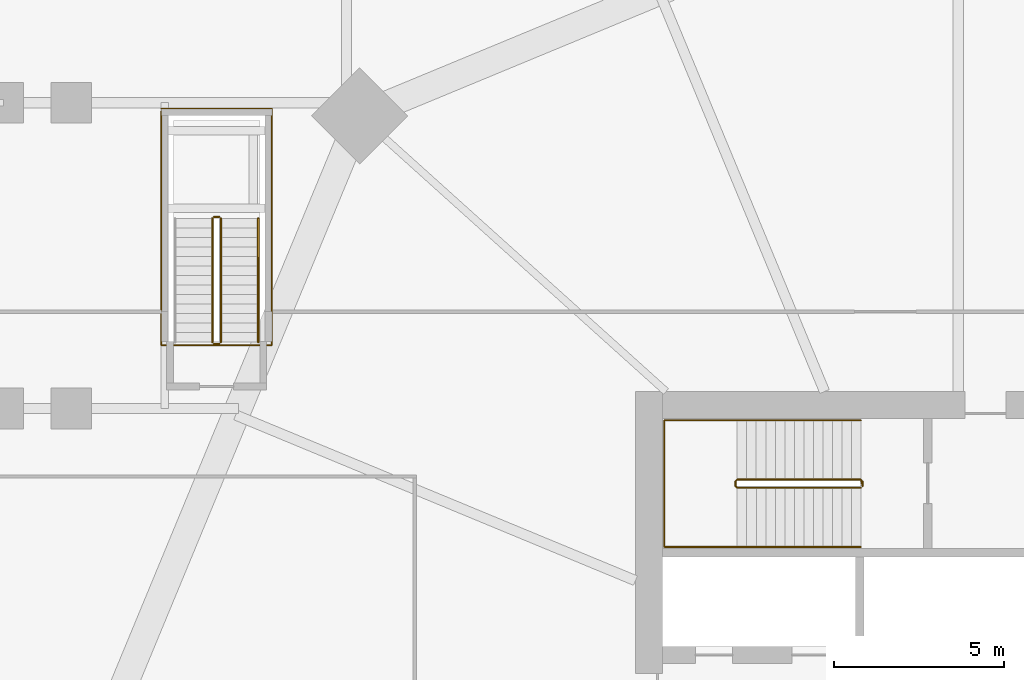
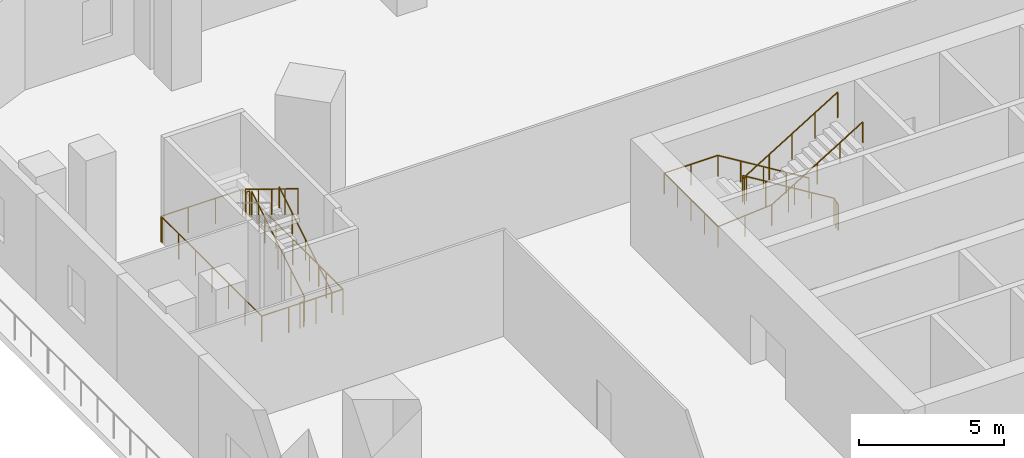
# One storey, part 14 of 17: 8 railings.
"""IFC4 building model written with IfcOpenShell, lengths in metres."""

from ifc_helpers import new_model, si_unit, direction, frame, origin, origin_2d, place, context, subcontext, project, spatial, circle, extrude, material, type_object, element, save


model = new_model("IFC4")

# Units and contexts
model_context = context("Model", 3, precision=1e-05, world=origin(), true_north=direction((0.0, 1.0)))
body_context = subcontext(model_context, "Body", "Model", "MODEL_VIEW")
ifc_project = project(units=[si_unit("LENGTHUNIT", "METRE"), si_unit("AREAUNIT", "SQUARE_METRE"), si_unit("VOLUMEUNIT", "CUBIC_METRE"), si_unit("PLANEANGLEUNIT", "RADIAN"), si_unit("MASSUNIT", "GRAM", prefix="KILO")], contexts=[model_context])

# Site, building, storey
site_placement = place(None, origin())
site = spatial("IfcSite", under=ifc_project, at=site_placement, CompositionType="ELEMENT")
building_placement = place(site_placement, origin())
building = spatial("IfcBuilding", under=site, at=building_placement, Name="Ogive Gate Towers", CompositionType="ELEMENT")
storey_placement = place(building_placement, frame((0.0, 0.0, 18.0)))
storey = spatial("IfcBuildingStorey", under=building, at=storey_placement, Name="L03", CompositionType="ELEMENT", Elevation=18.0)

# Railings
ifc_material_1 = material(Name="Steel and glass guard", Category="steel")
railing_type_1 = type_object("IfcRailingType", Name="Podium stair guard 1100", PredefinedType="GUARDRAIL", material=ifc_material_1)
railing_1_placement = place(storey_placement, frame((-57.699951171875, 10.949951171875, 0.17138671875)))
element("IfcRailing", 1, at=railing_1_placement, inside=storey, type_object=railing_type_1, Name="L03 PS1 stair guard 1", PredefinedType="GUARDRAIL", context=body_context, shape_type="SweptSolid", body=[
    extrude(circle(Radius=0.02392578125, at=origin_2d()), frame((0.0, 0.0, 1.076171875), z_axis=(0.0, 0.852865859571, 0.52213008492), x_axis=(-1.0, 0.0, 0.0)), (0.0, 0.0, 1.0), 4.26806640625),
    extrude(circle(Radius=0.02099609375, at=origin_2d()), origin(), (0.0, 0.0, 1.0), 1.052001953125),
    extrude(circle(Radius=0.02099609375, at=origin_2d()), frame((0.0, 0.91015625, 0.55712890625)), (0.0, 0.0, 1.0), 1.052001953125),
    extrude(circle(Radius=0.02099609375, at=origin_2d()), frame((0.0, 1.820068359375, 1.1142578125)), (0.0, 0.0, 1.0), 1.052001953125),
    extrude(circle(Radius=0.02099609375, at=origin_2d()), frame((0.0, 2.72998046875, 1.67138671875)), (0.0, 0.0, 1.0), 1.052001953125),
    extrude(circle(Radius=0.02099609375, at=origin_2d()), frame((0.0, 3.64013671875, 2.228515625)), (0.0, 0.0, 1.0), 1.052001953125),
])
railing_2_placement = place(storey_placement, frame((-57.75, 14.639892578125, 2.39990234375)))
element("IfcRailing", 2, at=railing_2_placement, inside=storey, type_object=railing_type_1, Name="L03 PS1 stair guard 2", PredefinedType="GUARDRAIL", context=body_context, shape_type="SweptSolid", body=[
    extrude(circle(Radius=0.02392578125, at=origin_2d()), frame((0.0, 0.0, 1.076171875), z_axis=(-1.0, 0.0, 0.0), x_axis=(0.0, -1.0, 0.0)), (0.0, 0.0, 1.0), 0.14990234375),
    extrude(circle(Radius=0.02099609375, at=origin_2d()), origin(), (0.0, 0.0, 1.0), 1.052001953125),
    extrude(circle(Radius=0.02099609375, at=origin_2d()), frame((-0.14990234375, 0.0, 0.0)), (0.0, 0.0, 1.0), 1.052001953125),
])
railing_3_placement = place(storey_placement, frame((-57.949951171875, 14.590087890625, 2.571533203125)))
element("IfcRailing", 3, at=railing_3_placement, inside=storey, type_object=railing_type_1, Name="L03 PS1 stair guard 3", PredefinedType="GUARDRAIL", context=body_context, shape_type="SweptSolid", body=[
    extrude(circle(Radius=0.02392578125, at=origin_2d()), frame((0.0, 0.0, 1.076171875), z_axis=(0.0, -0.852865859571, 0.52213008492), x_axis=(1.0, 0.0, 0.0)), (0.0, 0.0, 1.0), 4.26806640625),
    extrude(circle(Radius=0.02099609375, at=origin_2d()), origin(), (0.0, 0.0, 1.0), 1.052001953125),
    extrude(circle(Radius=0.02099609375, at=origin_2d()), frame((0.0, -0.91015625, 0.55712890625)), (0.0, 0.0, 1.0), 1.052001953125),
    extrude(circle(Radius=0.02099609375, at=origin_2d()), frame((0.0, -1.820068359375, 1.1142578125)), (0.0, 0.0, 1.0), 1.052001953125),
    extrude(circle(Radius=0.02099609375, at=origin_2d()), frame((0.0, -2.72998046875, 1.67138671875)), (0.0, 0.0, 1.0), 1.052001953125),
    extrude(circle(Radius=0.02099609375, at=origin_2d()), frame((0.0, -3.64013671875, 2.228515625)), (0.0, 0.0, 1.0), 1.052001953125),
])
railing_4_placement = place(storey_placement, frame((-57.75, 10.89990234375, 0.0)))
element("IfcRailing", 4, at=railing_4_placement, inside=storey, type_object=railing_type_1, Name="L03 PS1 stair guard 4", PredefinedType="GUARDRAIL", context=body_context, shape_type="SweptSolid", body=[
    extrude(circle(Radius=0.02392578125, at=origin_2d()), frame((0.0, 0.0, 1.076171875), z_axis=(-1.0, 0.0, 0.0), x_axis=(0.0, -1.0, 0.0)), (0.0, 0.0, 1.0), 0.14990234375),
    extrude(circle(Radius=0.02099609375, at=origin_2d()), origin(), (0.0, 0.0, 1.0), 1.052001953125),
    extrude(circle(Radius=0.02099609375, at=origin_2d()), frame((-0.14990234375, 0.0, 0.0)), (0.0, 0.0, 1.0), 1.052001953125),
])
ifc_material_2 = material(Name="Stainless steel handrail", Category="steel")
railing_type_2 = type_object("IfcRailingType", Name="Podium stair handrail 900", PredefinedType="HANDRAIL", material=ifc_material_2)
railing_5_placement = place(storey_placement, frame((-56.60009765625, 10.949951171875, 0.17138671875)))
element("IfcRailing", 5, at=railing_5_placement, inside=storey, type_object=railing_type_2, Name="L03 PS1 stair handrail 1", PredefinedType="HANDRAIL", context=body_context, shape_type="SweptSolid", body=[
    extrude(circle(Radius=0.02392578125, at=origin_2d()), frame((0.0, 0.0, 0.8759765625), z_axis=(0.0, 0.852865859571, 0.52213008492), x_axis=(-1.0, 0.0, 0.0)), (0.0, 0.0, 1.0), 4.26806640625),
    extrude(circle(Radius=0.02099609375, at=origin_2d()), origin(), (0.0, 0.0, 1.0), 0.851806640625),
    extrude(circle(Radius=0.02099609375, at=origin_2d()), frame((0.0, 0.91015625, 0.55712890625)), (0.0, 0.0, 1.0), 0.851806640625),
    extrude(circle(Radius=0.02099609375, at=origin_2d()), frame((0.0, 1.820068359375, 1.1142578125)), (0.0, 0.0, 1.0), 0.851806640625),
    extrude(circle(Radius=0.02099609375, at=origin_2d()), frame((0.0, 2.72998046875, 1.67138671875)), (0.0, 0.0, 1.0), 0.851806640625),
    extrude(circle(Radius=0.02099609375, at=origin_2d()), frame((0.0, 3.64013671875, 2.228515625)), (0.0, 0.0, 1.0), 0.851806640625),
])
ifc_material_3 = material(Name="Stainless steel", Category="steel")
railing_type_3 = type_object("IfcRailingType", Name="Stair guard 1100", PredefinedType="GUARDRAIL", material=ifc_material_3)
railing_6_placement = place(storey_placement, frame((-38.81494140625, 6.860107421875, 0.0)))
element("IfcRailing", 6, at=railing_6_placement, inside=storey, type_object=railing_type_3, Name="L03 ST1 stair guard 1", PredefinedType="GUARDRAIL", context=body_context, shape_type="SweptSolid", body=[
    extrude(circle(Radius=0.02392578125, at=origin_2d()), frame((0.0, 0.0, 1.076171875), z_axis=(0.0, -1.0, 0.0), x_axis=(1.0, 0.0, 0.0)), (0.0, 0.0, 1.0), 0.14501953125),
    extrude(circle(Radius=0.02392578125, at=origin_2d()), frame((0.0, -0.14501953125, 1.076171875), z_axis=(-0.189390444499, 0.737236949804, 0.648546790429), x_axis=(-0.968551454522, -0.24881334358, 0.0)), (0.0, 0.0, 1.0), 0.26416015625),
    extrude(circle(Radius=0.02392578125, at=origin_2d()), frame((-0.050048828125, 0.0498046875, 1.24755859375), z_axis=(-0.852850264322, 0.0, 0.5221555579), x_axis=(0.0, -1.0, 0.0)), (0.0, 0.0, 1.0), 4.267822265625),
    extrude(circle(Radius=0.02392578125, at=origin_2d()), frame((-3.68994140625, 0.0498046875, 3.47607421875), z_axis=(-0.708833529934, -0.705375805398, 0.0), x_axis=(0.705375805398, -0.708833529934, 0.0)), (0.0, 0.0, 1.0), 0.070556640625),
    extrude(circle(Radius=0.02392578125, at=origin_2d()), frame((-3.739990234375, 0.0, 3.47607421875), z_axis=(0.0, -1.0, 0.0), x_axis=(1.0, 0.0, 0.0)), (0.0, 0.0, 1.0), 0.14501953125),
    extrude(circle(Radius=0.02392578125, at=origin_2d()), frame((-3.739990234375, -0.14501953125, 3.47607421875), z_axis=(0.269583098496, -0.269583098496, 0.924472771914), x_axis=(0.707106781187, 0.707106781187, 0.0)), (0.0, 0.0, 1.0), 0.185546875),
    extrude(circle(Radius=0.02392578125, at=origin_2d()), frame((-3.68994140625, -0.195068359375, 3.6474609375), z_axis=(0.852850264322, 0.0, 0.5221555579), x_axis=(0.0, 1.0, 0.0)), (0.0, 0.0, 1.0), 4.267822265625),
    extrude(circle(Radius=0.02099609375, at=origin_2d()), origin(), (0.0, 0.0, 1.0), 1.052001953125),
    extrude(circle(Radius=0.02099609375, at=origin_2d()), frame((0.0, -0.14501953125, 0.0)), (0.0, 0.0, 1.0), 1.052001953125),
    extrude(circle(Radius=0.02099609375, at=origin_2d()), frame((-0.050048828125, 0.0498046875, 0.17138671875)), (0.0, 0.0, 1.0), 1.052001953125),
    extrude(circle(Radius=0.02099609375, at=origin_2d()), frame((-0.9599609375, 0.0498046875, 0.728515625)), (0.0, 0.0, 1.0), 1.052001953125),
    extrude(circle(Radius=0.02099609375, at=origin_2d()), frame((-1.8701171875, 0.0498046875, 1.28564453125)), (0.0, 0.0, 1.0), 1.052001953125),
    extrude(circle(Radius=0.02099609375, at=origin_2d()), frame((-2.780029296875, 0.0498046875, 1.8427734375)), (0.0, 0.0, 1.0), 1.052001953125),
    extrude(circle(Radius=0.02099609375, at=origin_2d()), frame((-3.68994140625, 0.0498046875, 2.39990234375)), (0.0, 0.0, 1.0), 1.052001953125),
    extrude(circle(Radius=0.02099609375, at=origin_2d()), frame((-3.739990234375, 0.0, 2.39990234375)), (0.0, 0.0, 1.0), 1.052001953125),
    extrude(circle(Radius=0.02099609375, at=origin_2d()), frame((-3.739990234375, -0.14501953125, 2.39990234375)), (0.0, 0.0, 1.0), 1.052001953125),
    extrude(circle(Radius=0.02099609375, at=origin_2d()), frame((-3.68994140625, -0.195068359375, 2.571533203125)), (0.0, 0.0, 1.0), 1.052001953125),
    extrude(circle(Radius=0.02099609375, at=origin_2d()), frame((-2.780029296875, -0.195068359375, 3.128662109375)), (0.0, 0.0, 1.0), 1.052001953125),
    extrude(circle(Radius=0.02099609375, at=origin_2d()), frame((-1.8701171875, -0.195068359375, 3.685791015625)), (0.0, 0.0, 1.0), 1.052001953125),
    extrude(circle(Radius=0.02099609375, at=origin_2d()), frame((-0.9599609375, -0.195068359375, 4.242919921875)), (0.0, 0.0, 1.0), 1.052001953125),
    extrude(circle(Radius=0.02099609375, at=origin_2d()), frame((-0.050048828125, -0.195068359375, 4.800048828125)), (0.0, 0.0, 1.0), 1.052001953125),
])
railing_type_4 = type_object("IfcRailingType", Name="Stair handrail 900", PredefinedType="HANDRAIL", material=ifc_material_3)
railing_7_placement = place(storey_placement, frame((-38.864990234375, 8.64990234375, 0.17138671875)))
element("IfcRailing", 7, at=railing_7_placement, inside=storey, type_object=railing_type_4, Name="L03 ST1 stair handrail 1", PredefinedType="HANDRAIL", context=body_context, shape_type="SweptSolid", body=[
    extrude(circle(Radius=0.02392578125, at=origin_2d()), frame((0.0, 0.0, 0.8759765625), z_axis=(-0.852850264322, 0.0, 0.5221555579), x_axis=(0.0, -1.0, 0.0)), (0.0, 0.0, 1.0), 4.267822265625),
    extrude(circle(Radius=0.02392578125, at=origin_2d()), frame((-3.639892578125, 0.0, 3.1044921875), z_axis=(-1.0, 0.0, 0.0), x_axis=(0.0, -1.0, 0.0)), (0.0, 0.0, 1.0), 2.14501953125),
    extrude(circle(Radius=0.02392578125, at=origin_2d()), frame((-5.784912109375, 0.0, 3.1044921875), z_axis=(0.0, -1.0, 0.0), x_axis=(1.0, 0.0, 0.0)), (0.0, 0.0, 1.0), 3.724853515625),
    extrude(circle(Radius=0.02392578125, at=origin_2d()), frame((-5.784912109375, -3.724853515625, 3.1044921875), z_axis=(0.996814196204, 0.0, 0.079758750277), x_axis=(0.0, 1.0, 0.0)), (0.0, 0.0, 1.0), 2.15185546875),
    extrude(circle(Radius=0.02392578125, at=origin_2d()), frame((-3.639892578125, -3.724853515625, 3.27587890625), z_axis=(0.852850264322, 0.0, 0.5221555579), x_axis=(0.0, 1.0, 0.0)), (0.0, 0.0, 1.0), 4.267822265625),
    extrude(circle(Radius=0.02099609375, at=origin_2d()), origin(), (0.0, 0.0, 1.0), 0.851806640625),
    extrude(circle(Radius=0.02099609375, at=origin_2d()), frame((-0.909912109375, 0.0, 0.55712890625)), (0.0, 0.0, 1.0), 0.851806640625),
    extrude(circle(Radius=0.02099609375, at=origin_2d()), frame((-1.81982421875, 0.0, 1.1142578125)), (0.0, 0.0, 1.0), 0.851806640625),
    extrude(circle(Radius=0.02099609375, at=origin_2d()), frame((-2.72998046875, 0.0, 1.67138671875)), (0.0, 0.0, 1.0), 0.851806640625),
    extrude(circle(Radius=0.02099609375, at=origin_2d()), frame((-3.639892578125, 0.0, 2.228515625)), (0.0, 0.0, 1.0), 0.851806640625),
    extrude(circle(Radius=0.02099609375, at=origin_2d()), frame((-4.71240234375, 0.0, 2.228515625)), (0.0, 0.0, 1.0), 0.851806640625),
    extrude(circle(Radius=0.02099609375, at=origin_2d()), frame((-5.784912109375, 0.0, 2.228515625)), (0.0, 0.0, 1.0), 0.851806640625),
    extrude(circle(Radius=0.02099609375, at=origin_2d()), frame((-5.784912109375, -0.93115234375, 2.228515625)), (0.0, 0.0, 1.0), 0.851806640625),
    extrude(circle(Radius=0.02099609375, at=origin_2d()), frame((-5.784912109375, -1.8623046875, 2.228515625)), (0.0, 0.0, 1.0), 0.851806640625),
    extrude(circle(Radius=0.02099609375, at=origin_2d()), frame((-5.784912109375, -2.793701171875, 2.228515625)), (0.0, 0.0, 1.0), 0.851806640625),
    extrude(circle(Radius=0.02099609375, at=origin_2d()), frame((-5.784912109375, -3.724853515625, 2.228515625)), (0.0, 0.0, 1.0), 0.851806640625),
    extrude(circle(Radius=0.02099609375, at=origin_2d()), frame((-4.71240234375, -3.724853515625, 2.314453125)), (0.0, 0.0, 1.0), 0.851806640625),
    extrude(circle(Radius=0.02099609375, at=origin_2d()), frame((-3.639892578125, -3.724853515625, 2.400146484375)), (0.0, 0.0, 1.0), 0.851806640625),
    extrude(circle(Radius=0.02099609375, at=origin_2d()), frame((-2.72998046875, -3.724853515625, 2.957275390625)), (0.0, 0.0, 1.0), 0.851806640625),
    extrude(circle(Radius=0.02099609375, at=origin_2d()), frame((-1.81982421875, -3.724853515625, 3.514404296875)), (0.0, 0.0, 1.0), 0.851806640625),
    extrude(circle(Radius=0.02099609375, at=origin_2d()), frame((-0.909912109375, -3.724853515625, 4.071533203125)), (0.0, 0.0, 1.0), 0.851806640625),
    extrude(circle(Radius=0.02099609375, at=origin_2d()), frame((0.0, -3.724853515625, 4.628662109375)), (0.0, 0.0, 1.0), 0.851806640625),
])
railing_type_5 = type_object("IfcRailingType", Name="Void guard 1100", PredefinedType="GUARDRAIL", material=ifc_material_1)
railing_8_placement = place(storey_placement, frame((-59.449951171875, 17.820068359375, 0.0)))
element("IfcRailing", 8, at=railing_8_placement, inside=storey, type_object=railing_type_5, Name="L03 nave guard", PredefinedType="GUARDRAIL", context=body_context, shape_type="SweptSolid", body=[
    extrude(circle(Radius=0.02392578125, at=origin_2d()), frame((0.0, 0.0, 1.076171875), z_axis=(1.0, 0.0, 0.0), x_axis=(0.0, 1.0, 0.0)), (0.0, 0.0, 1.0), 3.25),
    extrude(circle(Radius=0.02392578125, at=origin_2d()), frame((3.25, 0.0, 1.076171875), z_axis=(0.0, -1.0, 0.0), x_axis=(1.0, 0.0, 0.0)), (0.0, 0.0, 1.0), 6.955078125),
    extrude(circle(Radius=0.02392578125, at=origin_2d()), frame((3.25, -6.955078125, 1.076171875), z_axis=(-1.0, 0.0, 0.0), x_axis=(0.0, -1.0, 0.0)), (0.0, 0.0, 1.0), 3.25),
    extrude(circle(Radius=0.02392578125, at=origin_2d()), frame((0.0, -6.955078125, 1.076171875), z_axis=(0.0, 1.0, 0.0), x_axis=(-1.0, 0.0, 0.0)), (0.0, 0.0, 1.0), 6.885009765625),
    extrude(circle(Radius=0.02099609375, at=origin_2d()), origin(), (0.0, 0.0, 1.0), 1.052001953125),
    extrude(circle(Radius=0.02099609375, at=origin_2d()), frame((1.083251953125, 0.0, 0.0)), (0.0, 0.0, 1.0), 1.052001953125),
    extrude(circle(Radius=0.02099609375, at=origin_2d()), frame((2.166748046875, 0.0, 0.0)), (0.0, 0.0, 1.0), 1.052001953125),
    extrude(circle(Radius=0.02099609375, at=origin_2d()), frame((3.25, 0.0, 0.0)), (0.0, 0.0, 1.0), 1.052001953125),
    extrude(circle(Radius=0.02099609375, at=origin_2d()), frame((3.25, -1.1591796875, 0.0)), (0.0, 0.0, 1.0), 1.052001953125),
    extrude(circle(Radius=0.02099609375, at=origin_2d()), frame((3.25, -2.318359375, 0.0)), (0.0, 0.0, 1.0), 1.052001953125),
    extrude(circle(Radius=0.02099609375, at=origin_2d()), frame((3.25, -3.4775390625, 0.0)), (0.0, 0.0, 1.0), 1.052001953125),
    extrude(circle(Radius=0.02099609375, at=origin_2d()), frame((3.25, -4.63671875, 0.0)), (0.0, 0.0, 1.0), 1.052001953125),
    extrude(circle(Radius=0.02099609375, at=origin_2d()), frame((3.25, -5.7958984375, 0.0)), (0.0, 0.0, 1.0), 1.052001953125),
    extrude(circle(Radius=0.02099609375, at=origin_2d()), frame((3.25, -6.955078125, 0.0)), (0.0, 0.0, 1.0), 1.052001953125),
    extrude(circle(Radius=0.02099609375, at=origin_2d()), frame((2.166748046875, -6.955078125, 0.0)), (0.0, 0.0, 1.0), 1.052001953125),
    extrude(circle(Radius=0.02099609375, at=origin_2d()), frame((1.083251953125, -6.955078125, 0.0)), (0.0, 0.0, 1.0), 1.052001953125),
    extrude(circle(Radius=0.02099609375, at=origin_2d()), frame((0.0, -6.955078125, 0.0)), (0.0, 0.0, 1.0), 1.052001953125),
    extrude(circle(Radius=0.02099609375, at=origin_2d()), frame((0.0, -5.8076171875, 0.0)), (0.0, 0.0, 1.0), 1.052001953125),
    extrude(circle(Radius=0.02099609375, at=origin_2d()), frame((0.0, -4.66015625, 0.0)), (0.0, 0.0, 1.0), 1.052001953125),
    extrude(circle(Radius=0.02099609375, at=origin_2d()), frame((0.0, -3.5126953125, 0.0)), (0.0, 0.0, 1.0), 1.052001953125),
    extrude(circle(Radius=0.02099609375, at=origin_2d()), frame((0.0, -2.364990234375, 0.0)), (0.0, 0.0, 1.0), 1.052001953125),
    extrude(circle(Radius=0.02099609375, at=origin_2d()), frame((0.0, -1.217529296875, 0.0)), (0.0, 0.0, 1.0), 1.052001953125),
    extrude(circle(Radius=0.02099609375, at=origin_2d()), frame((0.0, -0.070068359375, 0.0)), (0.0, 0.0, 1.0), 1.052001953125),
])

save(model, "model.ifc")
